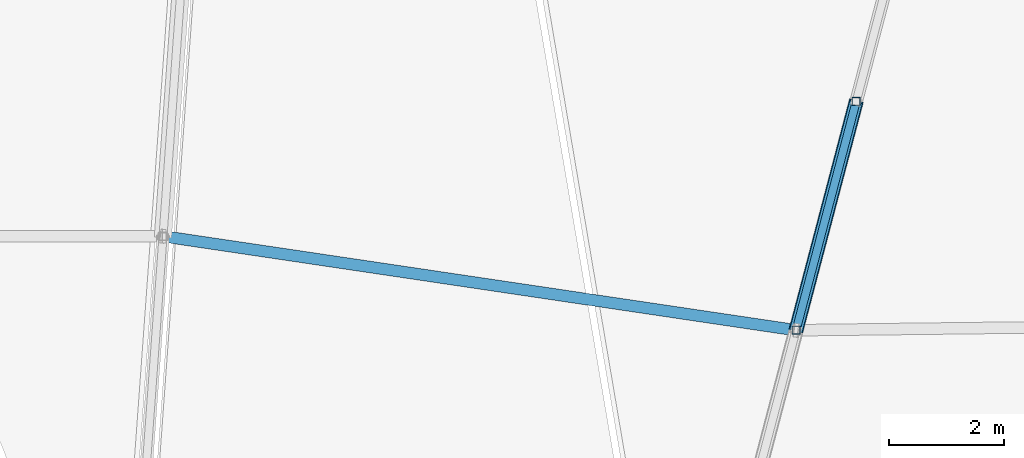
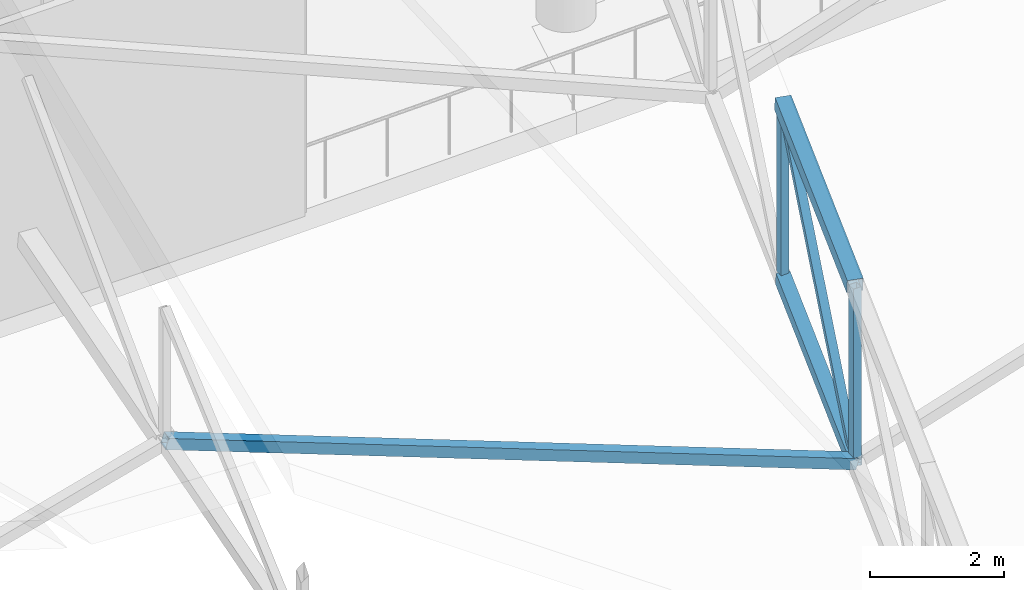
# One storey, part 155 of 344: 6 members.
"""IFC4 building model written with IfcOpenShell, lengths in metres."""

from ifc_helpers import new_model, si_unit, direction, frame, origin, origin_2d, place, context, subcontext, project, spatial, hollow_rectangle, extrude, material, material_profile, profile_set, type_object, element, save


model = new_model("IFC4")

# Units and contexts
model_context = context("Model", 3, precision=1e-05, world=origin(), true_north=direction((0.0, 1.0)))
body_context = subcontext(model_context, "Body", "Model", "MODEL_VIEW")
ifc_project = project(units=[si_unit("LENGTHUNIT", "METRE"), si_unit("AREAUNIT", "SQUARE_METRE"), si_unit("VOLUMEUNIT", "CUBIC_METRE"), si_unit("PLANEANGLEUNIT", "RADIAN"), si_unit("MASSUNIT", "GRAM", prefix="KILO")], contexts=[model_context])

# Site, building, storey
site_placement = place(None, origin())
site = spatial("IfcSite", under=ifc_project, at=site_placement, CompositionType="ELEMENT")
building_placement = place(site_placement, origin())
building = spatial("IfcBuilding", under=site, at=building_placement, Name="Meseta Stadium", CompositionType="ELEMENT")
storey_placement = place(building_placement, frame((0.0, 0.0, 24.0)))
storey = spatial("IfcBuildingStorey", under=building, at=storey_placement, Name="L04", CompositionType="ELEMENT", Elevation=24.0)

# Members
ifc_material_1 = material(Name="Steel S355", Category="steel")
ifc_material_profile_1 = material_profile(ifc_material_1, hollow_rectangle(XDim=0.139892578125, YDim=0.139892578125, WallThickness=0.0048828125, at=origin_2d()), Name="SHS 140x140x5")
ifc_profile_set_1 = profile_set([ifc_material_profile_1], Name="Steel S355")
member_type_1 = type_object("IfcMemberType", Name="SHS 140x140x5 diagonal", PredefinedType="BRACE", material=ifc_profile_set_1)
member_1_placement = place(storey_placement, frame((16.476318359375, 73.776611328125, 2.95263671875), z_axis=(0.18709073138, 0.711978091031, 0.676819219676), x_axis=(-0.967165386929, 0.254147819836, 0.0)))
element("IfcMember", 1, at=member_1_placement, inside=storey, type_object=member_type_1, Name="ROOF TRUSS RT-17 diagonal", PredefinedType="BRACE", context=body_context, shape_type="SweptSolid", body=[
    extrude(hollow_rectangle(XDim=0.139892578125, YDim=0.139892578125, WallThickness=0.0048828125, at=origin_2d()), origin(), (0.0, 0.0, 1.0), 5.575927734375),
])
ifc_material_2 = material(Name="Steel S355", Category="steel")
ifc_material_profile_2 = material_profile(ifc_material_2, hollow_rectangle(XDim=0.139892578125, YDim=0.139892578125, WallThickness=0.0048828125, at=origin_2d()), Name="SHS 140x140x5")
ifc_profile_set_2 = profile_set([ifc_material_profile_2], Name="Steel S355")
member_type_2 = type_object("IfcMemberType", Name="SHS 140x140x5 post", PredefinedType="POST", material=ifc_profile_set_2)
for number, where, z_axis, x_axis, name in (
    (2, (16.476318359375, 73.776611328125, 2.95263671875), (0.0, 0.0, 1.0), (1.0, 0.0, 0.0), "ROOF TRUSS RT-17 post"),
    (3, (17.51953125, 77.74658203125, 3.5263671875), (0.0, 0.0, 1.0), (1.0, 0.0, 0.0), "ROOF TRUSS RT-17 post"),
):
    element("IfcMember", number, at=place(storey_placement, frame(where, z_axis=z_axis, x_axis=x_axis)), inside=storey, type_object=member_type_2, Name=name, PredefinedType="POST", context=body_context, shape_type="SweptSolid", body=[
        extrude(hollow_rectangle(XDim=0.139892578125, YDim=0.139892578125, WallThickness=0.0048828125, at=origin_2d()), origin(), (0.0, 0.0, 1.0), 3.2001953125),
    ])
ifc_material_3 = material(Name="Steel S355", Category="steel")
ifc_material_profile_3 = material_profile(ifc_material_3, hollow_rectangle(XDim=0.199951171875, YDim=0.199951171875, WallThickness=0.008056640625, at=origin_2d()), Name="SHS 200x200x8")
ifc_profile_set_3 = profile_set([ifc_material_profile_3], Name="Steel S355")
member_type_3 = type_object("IfcMemberType", Name="SHS 200x200x8 strut", PredefinedType="STRUT", material=ifc_profile_set_3)
member_2_placement = place(storey_placement, frame((16.476318359375, 73.776611328125, 2.95263671875), z_axis=(-0.94987320608, 0.141004226066, 0.279031719707), x_axis=(-0.146836286524, -0.989160808443, 0.0)))
element("IfcMember", 4, at=member_2_placement, inside=storey, type_object=member_type_3, Name="ROOF TRUSS STRUT RT-17/18", PredefinedType="STRUT", context=body_context, shape_type="SweptSolid", body=[
    extrude(hollow_rectangle(XDim=0.199951171875, YDim=0.199951171875, WallThickness=0.008056640625, at=origin_2d()), origin(), (0.0, 0.0, 1.0), 11.564208984375),
])
ifc_material_4 = material(Name="Steel S355", Category="steel")
ifc_material_profile_4 = material_profile(ifc_material_4, hollow_rectangle(XDim=0.219970703125, YDim=0.219970703125, WallThickness=0.008056640625, at=origin_2d()), Name="SHS 220x220x8")
ifc_profile_set_4 = profile_set([ifc_material_profile_4], Name="Steel S355")
member_type_4 = type_object("IfcMemberType", Name="SHS 220x220x8 bottom chord", PredefinedType="CHORD", material=ifc_profile_set_4)
member_3_placement = place(storey_placement, frame((16.476318359375, 73.776611328125, 2.95263671875), z_axis=(0.251701056282, 0.957854171823, 0.138426745205), x_axis=(-0.967165386929, 0.254147819836, 0.0)))
element("IfcMember", 5, at=member_3_placement, inside=storey, type_object=member_type_4, Name="ROOF TRUSS RT-17 bottom chord", PredefinedType="CHORD", context=body_context, shape_type="SweptSolid", body=[
    extrude(hollow_rectangle(XDim=0.219970703125, YDim=0.219970703125, WallThickness=0.008056640625, at=origin_2d()), origin(), (0.0, 0.0, 1.0), 4.14453125),
])
ifc_material_5 = material(Name="Steel S355", Category="steel")
ifc_material_profile_5 = material_profile(ifc_material_5, hollow_rectangle(XDim=0.25, YDim=0.25, WallThickness=0.010009765625, at=origin_2d()), Name="SHS 250x250x10")
ifc_profile_set_5 = profile_set([ifc_material_profile_5], Name="Steel S355")
member_type_5 = type_object("IfcMemberType", Name="SHS 250x250x10 top chord", PredefinedType="CHORD", material=ifc_profile_set_5)
member_4_placement = place(storey_placement, frame((16.476318359375, 73.776611328125, 6.15283203125), z_axis=(0.251701056282, 0.957854171823, 0.138426745205), x_axis=(-0.967165386929, 0.254147819836, 0.0)))
element("IfcMember", 6, at=member_4_placement, inside=storey, type_object=member_type_5, Name="ROOF TRUSS RT-17 top chord", PredefinedType="CHORD", context=body_context, shape_type="SweptSolid", body=[
    extrude(hollow_rectangle(XDim=0.25, YDim=0.25, WallThickness=0.010009765625, at=origin_2d()), origin(), (0.0, 0.0, 1.0), 4.14453125),
])

save(model, "model.ifc")
